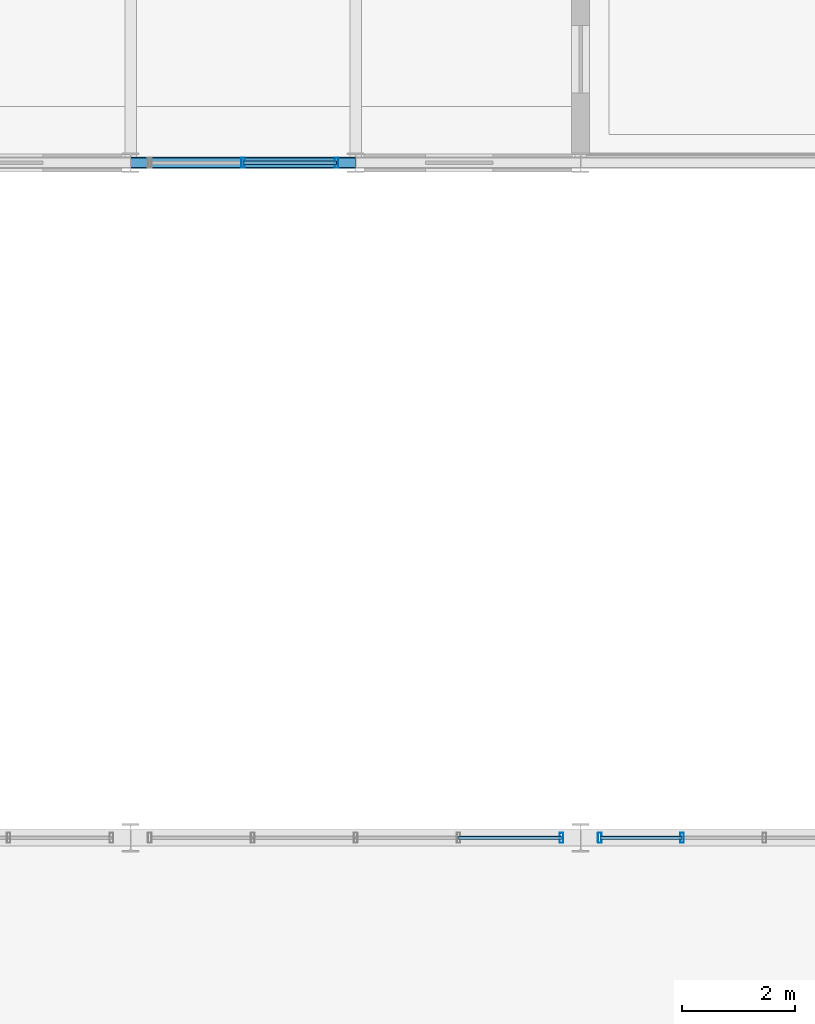
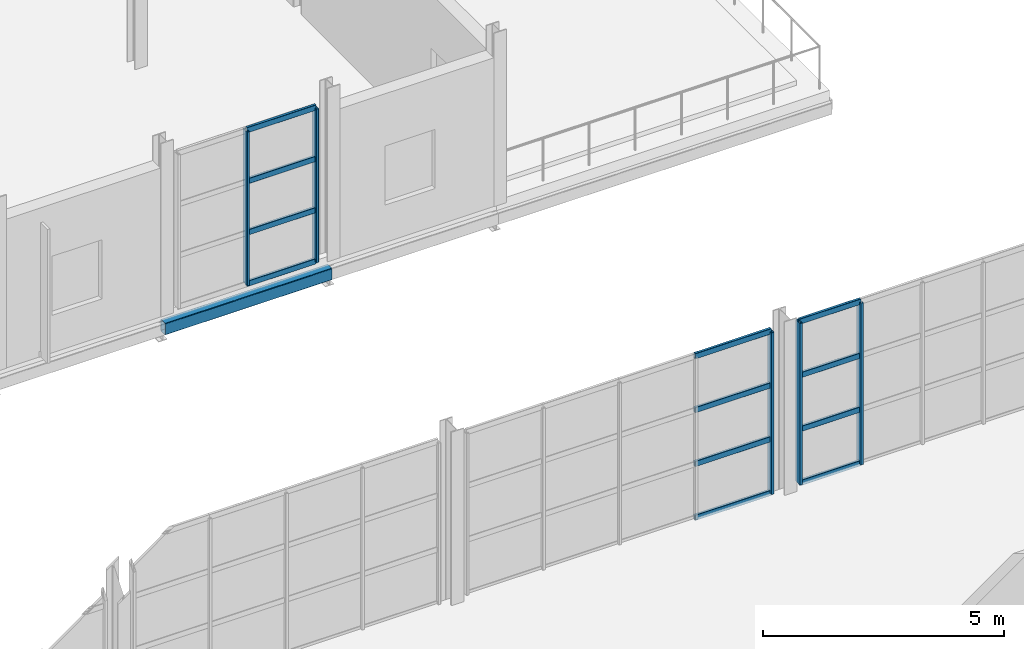
# One storey, part 114 of 153: 17 members, 1 beam, 3 elements without a shape of their own.
"""IFC4 building model written with IfcOpenShell, lengths in metres."""

from ifc_helpers import new_model, si_unit, derived_unit, direction, frame, origin, origin_2d, place, context, subcontext, project, spatial, hollow_rectangle, extrude, material, material_profile, profile_set, type_object, element, aggregate, save


model = new_model("IFC4")

# Units and contexts
model_context = context("Model", 3, precision=1e-05, world=origin(), true_north=direction((0.0, 1.0)))
body_context = subcontext(model_context, "Body", "Model", "MODEL_VIEW")
ifc_project = project(units=[si_unit("LENGTHUNIT", "METRE"), si_unit("AREAUNIT", "SQUARE_METRE"), si_unit("VOLUMEUNIT", "CUBIC_METRE"), si_unit("PLANEANGLEUNIT", "RADIAN"), si_unit("MASSUNIT", "GRAM", prefix="KILO"), derived_unit("THERMALTRANSMITTANCEUNIT", [(si_unit("POWERUNIT", "WATT"), 1), (si_unit("LENGTHUNIT", "METRE"), -2), (si_unit("THERMODYNAMICTEMPERATUREUNIT", "KELVIN"), -1)])], contexts=[model_context])

# Site, building, storey
site_placement = place(None, origin())
site = spatial("IfcSite", under=ifc_project, at=site_placement, CompositionType="ELEMENT")
building_placement = place(site_placement, origin())
building = spatial("IfcBuilding", under=site, at=building_placement, Name="Keldorne Ridge Multi-Sports Centre", CompositionType="ELEMENT")
storey_placement = place(building_placement, frame((0.0, 0.0, 9.60009765625)))
storey = spatial("IfcBuildingStorey", under=building, at=storey_placement, Name="L02", CompositionType="ELEMENT", Elevation=9.60009765625)

# Beam
ifc_material_1 = material(Name="Steel S355", Category="steel")
ifc_material_profile_1 = material_profile(ifc_material_1, hollow_rectangle(XDim=0.199951171875, YDim=0.300048828125, WallThickness=0.012451171875, InnerFilletRadius=0.012451171875, OuterFilletRadius=0.02490234375, at=origin_2d()), Name="RHS 300x200x12.5")
ifc_profile_set_1 = profile_set([ifc_material_profile_1], Name="Steel S355")
beam_type = type_object("IfcBeamType", Name="BM-SP-01", PredefinedType="SPANDREL", material=ifc_profile_set_1)
beam_placement = place(storey_placement, frame((144.0, 66.0, -0.41015625), z_axis=(1.0, 0.0, 0.0), x_axis=(0.0, 1.0, 0.0)))
element("IfcBeam", 1, at=beam_placement, inside=storey, type_object=beam_type, Name="L02 primary beam 9.66", PredefinedType="SPANDREL", context=body_context, shape_type="SweptSolid", body=[
    extrude(hollow_rectangle(XDim=0.199951171875, YDim=0.300048828125, WallThickness=0.012451171875, InnerFilletRadius=0.012451171875, OuterFilletRadius=0.02490234375, at=origin_2d()), origin(), (0.0, 0.0, 1.0), 4.0),
])

# Curtain wall, member
ifc_material_2 = material(Name="Anodized aluminium", Category="aluminium")
curtain_wall_type_1 = type_object("IfcCurtainWallType", Name="CW-CW-03", PredefinedType="NOTDEFINED", material=ifc_material_2)
curtain_wall_1_placement = place(storey_placement, origin())
curtain_wall_1 = element("IfcCurtainWall", 2, at=curtain_wall_1_placement, inside=storey, type_object=curtain_wall_type_1, Name="Upper Courts north glazing 123", PredefinedType="NOTDEFINED")
ifc_material_profile_2 = material_profile(ifc_material_2, hollow_rectangle(XDim=0.06494140625, YDim=0.179931640625, WallThickness=0.00439453125, InnerFilletRadius=0.00439453125, OuterFilletRadius=0.009033203125, at=origin_2d()), Name="ALU MULLION 180x65x4.5")
ifc_profile_set_2 = profile_set([ifc_material_profile_2], Name="Anodized aluminium")
member_type_1 = type_object("IfcMemberType", Name="MEM-ML-01", PredefinedType="MULLION", material=ifc_profile_set_2)
member_1_placement = place(storey_placement, frame((151.659912109375, 54.0, 0.0), z_axis=(0.0, 0.0, 1.0), x_axis=(1.0, 0.0, 0.0)))
member_1 = element("IfcMember", 3, at=member_1_placement, type_object=member_type_1, Name="CW-123 vertical mullion 1", PredefinedType="MULLION", context=body_context, shape_type="SweptSolid", body=[
    extrude(hollow_rectangle(XDim=0.06494140625, YDim=0.179931640625, WallThickness=0.00439453125, InnerFilletRadius=0.00439453125, OuterFilletRadius=0.009033203125, at=origin_2d()), origin(), (0.0, 0.0, 1.0), 4.099853515625),
])

# Curtain wall, members
curtain_wall_type_2 = type_object("IfcCurtainWallType", Name="CW-CW-02", PredefinedType="NOTDEFINED", material=ifc_material_2)
curtain_wall_2_placement = place(storey_placement, origin())
curtain_wall_2 = element("IfcCurtainWall", 4, at=curtain_wall_2_placement, inside=storey, type_object=curtain_wall_type_2, Name="Upper Courts north glazing 130", PredefinedType="NOTDEFINED")
member_2_placement = place(storey_placement, frame((153.803955078125, 54.0, 0.0), z_axis=(0.0, 0.0, 1.0), x_axis=(1.0, 0.0, 0.0)))
member_2 = element("IfcMember", 5, at=member_2_placement, type_object=member_type_1, Name="CW-130 vertical mullion 5", PredefinedType="MULLION", context=body_context, shape_type="SweptSolid", body=[
    extrude(hollow_rectangle(XDim=0.06494140625, YDim=0.179931640625, WallThickness=0.00439453125, InnerFilletRadius=0.00439453125, OuterFilletRadius=0.009033203125, at=origin_2d()), origin(), (0.0, 0.0, 1.0), 4.099853515625),
])
member_3_placement = place(storey_placement, frame((152.340087890625, 54.0, 0.0), z_axis=(0.0, 0.0, 1.0), x_axis=(1.0, 0.0, 0.0)))
member_3 = element("IfcMember", 6, at=member_3_placement, type_object=member_type_1, Name="CW-130 vertical mullion 6", PredefinedType="MULLION", context=body_context, shape_type="SweptSolid", body=[
    extrude(hollow_rectangle(XDim=0.06494140625, YDim=0.179931640625, WallThickness=0.00439453125, InnerFilletRadius=0.00439453125, OuterFilletRadius=0.009033203125, at=origin_2d()), origin(), (0.0, 0.0, 1.0), 4.099853515625),
])

curtain_wall_type_3 = type_object("IfcCurtainWallType", Name="CW-CW-06", PredefinedType="NOTDEFINED", material=ifc_material_2)
curtain_wall_3_placement = place(storey_placement, origin())
curtain_wall_3 = element("IfcCurtainWall", 7, at=curtain_wall_3_placement, inside=storey, type_object=curtain_wall_type_3, Name="East Wing L02 south curtain wall 150", PredefinedType="NOTDEFINED")
member_4_placement = place(storey_placement, frame((146.0, 66.0, 0.0), z_axis=(0.0, 0.0, 1.0), x_axis=(1.0, 0.0, 0.0)))
member_4 = element("IfcMember", 8, at=member_4_placement, type_object=member_type_1, Name="CW-150 vertical mullion 2", PredefinedType="MULLION", context=body_context, shape_type="SweptSolid", body=[
    extrude(hollow_rectangle(XDim=0.06494140625, YDim=0.179931640625, WallThickness=0.00439453125, InnerFilletRadius=0.00439453125, OuterFilletRadius=0.009033203125, at=origin_2d()), origin(), (0.0, 0.0, 1.0), 3.89990234375),
])
member_5_placement = place(storey_placement, frame((147.659912109375, 66.0, 0.0), z_axis=(0.0, 0.0, 1.0), x_axis=(1.0, 0.0, 0.0)))
member_5 = element("IfcMember", 9, at=member_5_placement, type_object=member_type_1, Name="CW-150 vertical mullion 3", PredefinedType="MULLION", context=body_context, shape_type="SweptSolid", body=[
    extrude(hollow_rectangle(XDim=0.06494140625, YDim=0.179931640625, WallThickness=0.00439453125, InnerFilletRadius=0.00439453125, OuterFilletRadius=0.009033203125, at=origin_2d()), origin(), (0.0, 0.0, 1.0), 3.89990234375),
])

# Member
ifc_material_profile_3 = material_profile(ifc_material_2, hollow_rectangle(XDim=0.06494140625, YDim=0.139892578125, WallThickness=0.00439453125, InnerFilletRadius=0.00439453125, OuterFilletRadius=0.009033203125, at=origin_2d()), Name="ALU TRANSOM 140x65x4.5")
ifc_profile_set_3 = profile_set([ifc_material_profile_3], Name="Anodized aluminium")
member_type_2 = type_object("IfcMemberType", Name="MEM-TR-01", PredefinedType="USERDEFINED", material=ifc_profile_set_3)
member_6_placement = place(storey_placement, frame((151.659912109375, 54.0, 0.0), z_axis=(-1.0, 0.0, 0.0), x_axis=(0.0, -1.0, 0.0)))
member_6 = element("IfcMember", 10, at=member_6_placement, type_object=member_type_2, Name="CW-123 transom 1.1", ObjectType="TRANSOM", PredefinedType="USERDEFINED", context=body_context, shape_type="SweptSolid", body=[
    extrude(hollow_rectangle(XDim=0.06494140625, YDim=0.139892578125, WallThickness=0.00439453125, InnerFilletRadius=0.00439453125, OuterFilletRadius=0.009033203125, at=origin_2d()), origin(), (0.0, 0.0, 1.0), 1.829833984375),
])

member_7_placement = place(storey_placement, frame((151.659912109375, 54.0, 1.36669921875), z_axis=(-1.0, 0.0, 0.0), x_axis=(0.0, -1.0, 0.0)))
member_7 = element("IfcMember", 11, at=member_7_placement, type_object=member_type_2, Name="CW-123 transom 1.2", ObjectType="TRANSOM", PredefinedType="USERDEFINED", context=body_context, shape_type="SweptSolid", body=[
    extrude(hollow_rectangle(XDim=0.06494140625, YDim=0.139892578125, WallThickness=0.00439453125, InnerFilletRadius=0.00439453125, OuterFilletRadius=0.009033203125, at=origin_2d()), origin(), (0.0, 0.0, 1.0), 1.829833984375),
])

member_8_placement = place(storey_placement, frame((151.659912109375, 54.0, 2.733154296875), z_axis=(-1.0, 0.0, 0.0), x_axis=(0.0, -1.0, 0.0)))
member_8 = element("IfcMember", 12, at=member_8_placement, type_object=member_type_2, Name="CW-123 transom 1.3", ObjectType="TRANSOM", PredefinedType="USERDEFINED", context=body_context, shape_type="SweptSolid", body=[
    extrude(hollow_rectangle(XDim=0.06494140625, YDim=0.139892578125, WallThickness=0.00439453125, InnerFilletRadius=0.00439453125, OuterFilletRadius=0.009033203125, at=origin_2d()), origin(), (0.0, 0.0, 1.0), 1.829833984375),
])

member_9_placement = place(storey_placement, frame((151.659912109375, 54.0, 4.099853515625), z_axis=(-1.0, 0.0, 0.0), x_axis=(0.0, -1.0, 0.0)))
member_9 = element("IfcMember", 13, at=member_9_placement, type_object=member_type_2, Name="CW-123 transom 1.4", ObjectType="TRANSOM", PredefinedType="USERDEFINED", context=body_context, shape_type="SweptSolid", body=[
    extrude(hollow_rectangle(XDim=0.06494140625, YDim=0.139892578125, WallThickness=0.00439453125, InnerFilletRadius=0.00439453125, OuterFilletRadius=0.009033203125, at=origin_2d()), origin(), (0.0, 0.0, 1.0), 1.829833984375),
])

aggregate(curtain_wall_1, [member_1, member_6, member_7, member_8, member_9])

member_10_placement = place(storey_placement, frame((153.803955078125, 54.0, 0.0), z_axis=(-1.0, 0.0, 0.0), x_axis=(0.0, -1.0, 0.0)))
member_10 = element("IfcMember", 14, at=member_10_placement, type_object=member_type_2, Name="CW-130 transom 5.1", ObjectType="TRANSOM", PredefinedType="USERDEFINED", context=body_context, shape_type="SweptSolid", body=[
    extrude(hollow_rectangle(XDim=0.06494140625, YDim=0.139892578125, WallThickness=0.00439453125, InnerFilletRadius=0.00439453125, OuterFilletRadius=0.009033203125, at=origin_2d()), origin(), (0.0, 0.0, 1.0), 1.4638671875),
])

member_11_placement = place(storey_placement, frame((153.803955078125, 54.0, 1.36669921875), z_axis=(-1.0, 0.0, 0.0), x_axis=(0.0, -1.0, 0.0)))
member_11 = element("IfcMember", 15, at=member_11_placement, type_object=member_type_2, Name="CW-130 transom 5.2", ObjectType="TRANSOM", PredefinedType="USERDEFINED", context=body_context, shape_type="SweptSolid", body=[
    extrude(hollow_rectangle(XDim=0.06494140625, YDim=0.139892578125, WallThickness=0.00439453125, InnerFilletRadius=0.00439453125, OuterFilletRadius=0.009033203125, at=origin_2d()), origin(), (0.0, 0.0, 1.0), 1.4638671875),
])

member_12_placement = place(storey_placement, frame((153.803955078125, 54.0, 2.733154296875), z_axis=(-1.0, 0.0, 0.0), x_axis=(0.0, -1.0, 0.0)))
member_12 = element("IfcMember", 16, at=member_12_placement, type_object=member_type_2, Name="CW-130 transom 5.3", ObjectType="TRANSOM", PredefinedType="USERDEFINED", context=body_context, shape_type="SweptSolid", body=[
    extrude(hollow_rectangle(XDim=0.06494140625, YDim=0.139892578125, WallThickness=0.00439453125, InnerFilletRadius=0.00439453125, OuterFilletRadius=0.009033203125, at=origin_2d()), origin(), (0.0, 0.0, 1.0), 1.4638671875),
])

member_13_placement = place(storey_placement, frame((153.803955078125, 54.0, 4.099853515625), z_axis=(-1.0, 0.0, 0.0), x_axis=(0.0, -1.0, 0.0)))
member_13 = element("IfcMember", 17, at=member_13_placement, type_object=member_type_2, Name="CW-130 transom 5.4", ObjectType="TRANSOM", PredefinedType="USERDEFINED", context=body_context, shape_type="SweptSolid", body=[
    extrude(hollow_rectangle(XDim=0.06494140625, YDim=0.139892578125, WallThickness=0.00439453125, InnerFilletRadius=0.00439453125, OuterFilletRadius=0.009033203125, at=origin_2d()), origin(), (0.0, 0.0, 1.0), 1.4638671875),
])

aggregate(curtain_wall_2, [member_2, member_3, member_10, member_11, member_12, member_13])

member_14_placement = place(storey_placement, frame((146.0, 66.0, 0.0), z_axis=(1.0, 0.0, 0.0), x_axis=(0.0, 1.0, 0.0)))
member_14 = element("IfcMember", 18, at=member_14_placement, type_object=member_type_2, Name="CW-150 transom 2.1", ObjectType="TRANSOM", PredefinedType="USERDEFINED", context=body_context, shape_type="SweptSolid", body=[
    extrude(hollow_rectangle(XDim=0.06494140625, YDim=0.139892578125, WallThickness=0.00439453125, InnerFilletRadius=0.00439453125, OuterFilletRadius=0.009033203125, at=origin_2d()), origin(), (0.0, 0.0, 1.0), 1.659912109375),
])

member_15_placement = place(storey_placement, frame((146.0, 66.0, 1.2998046875), z_axis=(1.0, 0.0, 0.0), x_axis=(0.0, 1.0, 0.0)))
member_15 = element("IfcMember", 19, at=member_15_placement, type_object=member_type_2, Name="CW-150 transom 2.2", ObjectType="TRANSOM", PredefinedType="USERDEFINED", context=body_context, shape_type="SweptSolid", body=[
    extrude(hollow_rectangle(XDim=0.06494140625, YDim=0.139892578125, WallThickness=0.00439453125, InnerFilletRadius=0.00439453125, OuterFilletRadius=0.009033203125, at=origin_2d()), origin(), (0.0, 0.0, 1.0), 1.659912109375),
])

member_16_placement = place(storey_placement, frame((146.0, 66.0, 2.599853515625), z_axis=(1.0, 0.0, 0.0), x_axis=(0.0, 1.0, 0.0)))
member_16 = element("IfcMember", 20, at=member_16_placement, type_object=member_type_2, Name="CW-150 transom 2.3", ObjectType="TRANSOM", PredefinedType="USERDEFINED", context=body_context, shape_type="SweptSolid", body=[
    extrude(hollow_rectangle(XDim=0.06494140625, YDim=0.139892578125, WallThickness=0.00439453125, InnerFilletRadius=0.00439453125, OuterFilletRadius=0.009033203125, at=origin_2d()), origin(), (0.0, 0.0, 1.0), 1.659912109375),
])

member_17_placement = place(storey_placement, frame((146.0, 66.0, 3.89990234375), z_axis=(1.0, 0.0, 0.0), x_axis=(0.0, 1.0, 0.0)))
member_17 = element("IfcMember", 21, at=member_17_placement, type_object=member_type_2, Name="CW-150 transom 2.4", ObjectType="TRANSOM", PredefinedType="USERDEFINED", context=body_context, shape_type="SweptSolid", body=[
    extrude(hollow_rectangle(XDim=0.06494140625, YDim=0.139892578125, WallThickness=0.00439453125, InnerFilletRadius=0.00439453125, OuterFilletRadius=0.009033203125, at=origin_2d()), origin(), (0.0, 0.0, 1.0), 1.659912109375),
])

aggregate(curtain_wall_3, [member_4, member_5, member_14, member_15, member_16, member_17])

save(model, "model.ifc")
